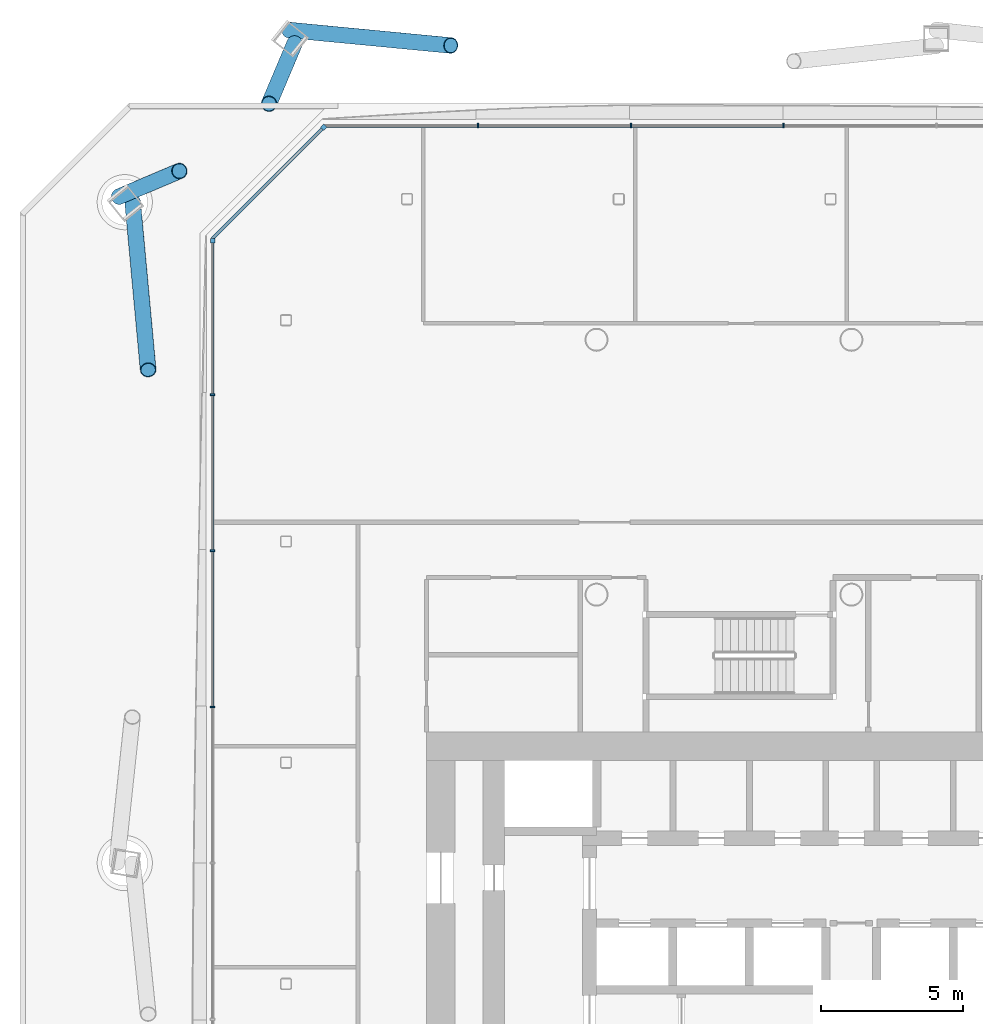
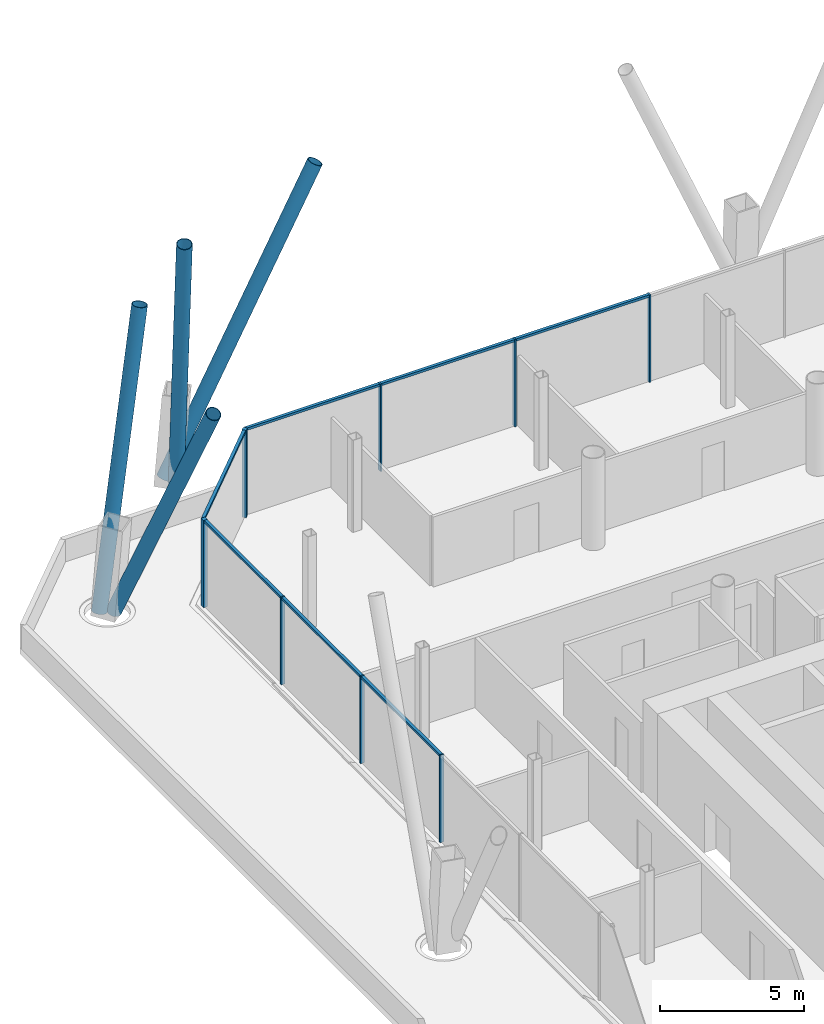
# One storey, part 8 of 23: 19 members, 3 elements without a shape of their own.
"""IFC4 building model written with IfcOpenShell, lengths in metres."""

from ifc_helpers import new_model, si_unit, direction, frame, origin, origin_2d, place, context, subcontext, project, spatial, rectangle, hollow_circle, extrude, material, material_profile, profile_set, type_object, element, aggregate, save


model = new_model("IFC4")

# Units and contexts
model_context = context("Model", 3, precision=1e-05, world=origin(), true_north=direction((0.0, 1.0)))
body_context = subcontext(model_context, "Body", "Model", "MODEL_VIEW")
ifc_project = project(units=[si_unit("LENGTHUNIT", "METRE"), si_unit("AREAUNIT", "SQUARE_METRE"), si_unit("VOLUMEUNIT", "CUBIC_METRE"), si_unit("PLANEANGLEUNIT", "RADIAN"), si_unit("MASSUNIT", "GRAM", prefix="KILO")], contexts=[model_context])

# Site, building, storey
site_placement = place(None, origin())
site = spatial("IfcSite", under=ifc_project, at=site_placement, CompositionType="ELEMENT")
building_placement = place(site_placement, origin())
building = spatial("IfcBuilding", under=site, at=building_placement, Name="Tskaro Facet Tower", CompositionType="ELEMENT")
storey_placement = place(building_placement, frame((0.0, 0.0, 62.10009765625)))
storey = spatial("IfcBuildingStorey", under=building, at=storey_placement, Name="L14", CompositionType="ELEMENT", Elevation=62.10009765625)

# Members
ifc_material_1 = material(Name="Steel S355J2H", Category="steel")
ifc_material_profile_1 = material_profile(ifc_material_1, hollow_circle(Radius=0.279541015625, WallThickness=0.02490234375, at=origin_2d()), Name="CHS 559x25")
ifc_profile_set_1 = profile_set([ifc_material_profile_1], Name="Steel S355J2H")
member_type_1 = type_object("IfcMemberType", Name="CHS 559x25 brace", PredefinedType="BRACE", material=ifc_profile_set_1)
member_1_placement = place(storey_placement, frame((-19.85888671875, 28.9384765625, 0.0), z_axis=(0.438488546732, -0.042056085249, 0.897752237579), x_axis=(0.095473354483, 0.995431985916, 0.0)))
element("IfcMember", 1, at=member_1_placement, inside=storey, type_object=member_type_1, Name="CHS 559x25 XB08B/2", PredefinedType="BRACE", context=body_context, shape_type="SweptSolid", body=[
    extrude(hollow_circle(Radius=0.279541015625, WallThickness=0.02490234375, at=origin_2d()), origin(), (0.0, 0.0, 1.0), 13.032470703125),
])
for number, where, z_axis, x_axis, name in (
    (2, (-19.661376953125, 28.46142578125, 0.0), (-0.075639155813, -0.178565725619, 0.981016309621), (0.920796704656, -0.390042854947, 0.0), "CHS 559x25 XB09A/2"),
    (3, (-25.856689453125, 23.056640625, 0.0), (0.178565725619, 0.075639155813, 0.981016309621), (-0.390042854947, 0.920796704656, 0.0), "CHS 559x25 XB09B/2"),
):
    element("IfcMember", number, at=place(storey_placement, frame(where, z_axis=z_axis, x_axis=x_axis)), inside=storey, type_object=member_type_1, Name=name, PredefinedType="BRACE", context=body_context, shape_type="SweptSolid", body=[
        extrude(hollow_circle(Radius=0.279541015625, WallThickness=0.02490234375, at=origin_2d()), origin(), (0.0, 0.0, 1.0), 11.92626953125),
    ])
member_2_placement = place(storey_placement, frame((-25.37939453125, 22.85888671875, 0.0), z_axis=(0.04173924051, -0.451319488299, 0.891385749989), x_axis=(0.995750714897, 0.092089705087, 0.0)))
element("IfcMember", 4, at=member_2_placement, inside=storey, type_object=member_type_1, Name="CHS 559x25 XB10A/2", PredefinedType="BRACE", context=body_context, shape_type="SweptSolid", body=[
    extrude(hollow_circle(Radius=0.279541015625, WallThickness=0.02490234375, at=origin_2d()), origin(), (0.0, 0.0, 1.0), 13.12548828125),
])

# Curtain wall, member
ifc_material_2 = material(Name="Bronze anodised aluminium 6063-T6", Category="aluminium")
curtain_wall_type = type_object("IfcCurtainWallType", Name="Bronze office curtain wall (FW1)", PredefinedType="NOTDEFINED", material=ifc_material_2)
curtain_wall_1_placement = place(storey_placement, origin())
curtain_wall_1 = element("IfcCurtainWall", 5, at=curtain_wall_1_placement, inside=storey, type_object=curtain_wall_type, Name="FW1 north-west facet L14", PredefinedType="NOTDEFINED")
ifc_material_profile_2 = material_profile(ifc_material_2, rectangle(XDim=0.159912109375, YDim=0.159912109375, at=origin_2d()), Name="Corner post 160x160")
ifc_profile_set_2 = profile_set([ifc_material_profile_2], Name="Bronze anodised aluminium 6063-T6")
member_type_2 = type_object("IfcMemberType", Name="FW1 bronze corner post 160x160", PredefinedType="MULLION", material=ifc_profile_set_2)
member_3_placement = place(storey_placement, frame((-18.630615234375, 25.50244140625, 0.0), z_axis=(0.0, 0.0, 1.0), x_axis=(-0.707106781187, -0.707106781187, 0.0)))
member_3 = element("IfcMember", 6, at=member_3_placement, type_object=member_type_2, Name="FW1 north-west corner post", PredefinedType="MULLION", context=body_context, shape_type="SweptSolid", body=[
    extrude(rectangle(XDim=0.159912109375, YDim=0.159912109375, at=origin_2d()), origin(), (0.0, 0.0, 1.0), 3.699951171875),
])

curtain_wall_2_placement = place(storey_placement, origin())
curtain_wall_2 = element("IfcCurtainWall", 7, at=curtain_wall_2_placement, inside=storey, type_object=curtain_wall_type, Name="FW1 west facet L14", PredefinedType="NOTDEFINED")
member_4_placement = place(storey_placement, frame((-22.55908203125, 21.493896484375, 0.0), z_axis=(0.0, 0.0, 1.0), x_axis=(0.0, -1.0, 0.0)))
member_4 = element("IfcMember", 8, at=member_4_placement, type_object=member_type_2, Name="FW1 west corner post", PredefinedType="MULLION", context=body_context, shape_type="SweptSolid", body=[
    extrude(rectangle(XDim=0.159912109375, YDim=0.159912109375, at=origin_2d()), origin(), (0.0, 0.0, 1.0), 3.699951171875),
])

# Curtain wall, members
curtain_wall_3_placement = place(storey_placement, origin())
curtain_wall_3 = element("IfcCurtainWall", 9, at=curtain_wall_3_placement, inside=storey, type_object=curtain_wall_type, Name="FW1 north facet L14", PredefinedType="NOTDEFINED")
ifc_material_profile_3 = material_profile(ifc_material_2, rectangle(XDim=0.06005859375, YDim=0.159912109375, at=origin_2d()), Name="Mullion 60x160")
ifc_profile_set_3 = profile_set([ifc_material_profile_3], Name="Bronze anodised aluminium 6063-T6")
member_type_3 = type_object("IfcMemberType", Name="FW1 bronze mullion 60x160", PredefinedType="MULLION", material=ifc_profile_set_3)
member_5_placement = place(storey_placement, frame((-2.3935546875, 25.55908203125, 0.0), z_axis=(0.0, 0.0, 1.0), x_axis=(-1.0, 0.0, 0.0)))
member_5 = element("IfcMember", 10, at=member_5_placement, type_object=member_type_3, Name="FW1 north mullion 5", PredefinedType="MULLION", context=body_context, shape_type="SweptSolid", body=[
    extrude(rectangle(XDim=0.06005859375, YDim=0.159912109375, at=origin_2d()), origin(), (0.0, 0.0, 1.0), 3.699951171875),
])
member_6_placement = place(storey_placement, frame((-7.787109375, 25.55908203125, 0.0), z_axis=(0.0, 0.0, 1.0), x_axis=(-1.0, 0.0, 0.0)))
member_6 = element("IfcMember", 11, at=member_6_placement, type_object=member_type_3, Name="FW1 north mullion 6", PredefinedType="MULLION", context=body_context, shape_type="SweptSolid", body=[
    extrude(rectangle(XDim=0.06005859375, YDim=0.159912109375, at=origin_2d()), origin(), (0.0, 0.0, 1.0), 3.699951171875),
])
member_7_placement = place(storey_placement, frame((-13.180419921875, 25.55908203125, 0.0), z_axis=(0.0, 0.0, 1.0), x_axis=(-1.0, 0.0, 0.0)))
member_7 = element("IfcMember", 12, at=member_7_placement, type_object=member_type_3, Name="FW1 north mullion 7", PredefinedType="MULLION", context=body_context, shape_type="SweptSolid", body=[
    extrude(rectangle(XDim=0.06005859375, YDim=0.159912109375, at=origin_2d()), origin(), (0.0, 0.0, 1.0), 3.699951171875),
])

# Member
member_8_placement = place(storey_placement, frame((-22.55908203125, 16.060791015625, 0.0), z_axis=(0.0, 0.0, 1.0), x_axis=(0.0, -1.0, 0.0)))
member_8 = element("IfcMember", 13, at=member_8_placement, type_object=member_type_3, Name="FW1 west mullion 1", PredefinedType="MULLION", context=body_context, shape_type="SweptSolid", body=[
    extrude(rectangle(XDim=0.06005859375, YDim=0.159912109375, at=origin_2d()), origin(), (0.0, 0.0, 1.0), 3.699951171875),
])

member_9_placement = place(storey_placement, frame((-22.55908203125, 10.5478515625, 0.0), z_axis=(0.0, 0.0, 1.0), x_axis=(0.0, -1.0, 0.0)))
member_9 = element("IfcMember", 14, at=member_9_placement, type_object=member_type_3, Name="FW1 west mullion 2", PredefinedType="MULLION", context=body_context, shape_type="SweptSolid", body=[
    extrude(rectangle(XDim=0.06005859375, YDim=0.159912109375, at=origin_2d()), origin(), (0.0, 0.0, 1.0), 3.699951171875),
])

member_10_placement = place(storey_placement, frame((-22.55908203125, 5.03466796875, 0.0), z_axis=(0.0, 0.0, 1.0), x_axis=(0.0, -1.0, 0.0)))
member_10 = element("IfcMember", 15, at=member_10_placement, type_object=member_type_3, Name="FW1 west mullion 3", PredefinedType="MULLION", context=body_context, shape_type="SweptSolid", body=[
    extrude(rectangle(XDim=0.06005859375, YDim=0.159912109375, at=origin_2d()), origin(), (0.0, 0.0, 1.0), 3.699951171875),
])

ifc_material_profile_4 = material_profile(ifc_material_2, rectangle(XDim=0.1201171875, YDim=0.10009765625, at=origin_2d()), Name="Transom 120x100")
ifc_profile_set_4 = profile_set([ifc_material_profile_4], Name="Bronze anodised aluminium 6063-T6")
member_type_4 = type_object("IfcMemberType", Name="FW1 bronze transom 120x100", PredefinedType="USERDEFINED", material=ifc_profile_set_4)
member_11_placement = place(storey_placement, frame((-2.423583984375, 25.55908203125, 3.64990234375), z_axis=(-1.0, 0.0, 0.0), x_axis=(0.0, -1.0, 0.0)))
member_11 = element("IfcMember", 16, at=member_11_placement, type_object=member_type_4, Name="FW1 north transom 6.1", ObjectType="TRANSOM", PredefinedType="USERDEFINED", context=body_context, shape_type="SweptSolid", body=[
    extrude(rectangle(XDim=0.1201171875, YDim=0.10009765625, at=origin_2d()), origin(), (0.0, 0.0, 1.0), 5.33349609375),
])

member_12_placement = place(storey_placement, frame((-7.81689453125, 25.55908203125, 3.64990234375), z_axis=(-1.0, 0.0, 0.0), x_axis=(0.0, -1.0, 0.0)))
member_12 = element("IfcMember", 17, at=member_12_placement, type_object=member_type_4, Name="FW1 north transom 7.1", ObjectType="TRANSOM", PredefinedType="USERDEFINED", context=body_context, shape_type="SweptSolid", body=[
    extrude(rectangle(XDim=0.1201171875, YDim=0.10009765625, at=origin_2d()), origin(), (0.0, 0.0, 1.0), 5.33349609375),
])

member_13_placement = place(storey_placement, frame((-13.21044921875, 25.55908203125, 3.64990234375), z_axis=(-1.0, 0.0, 0.0), x_axis=(0.0, -1.0, 0.0)))
member_13 = element("IfcMember", 18, at=member_13_placement, type_object=member_type_4, Name="FW1 north transom 8.1", ObjectType="TRANSOM", PredefinedType="USERDEFINED", context=body_context, shape_type="SweptSolid", body=[
    extrude(rectangle(XDim=0.1201171875, YDim=0.10009765625, at=origin_2d()), origin(), (0.0, 0.0, 1.0), 5.363525390625),
])

aggregate(curtain_wall_3, [member_5, member_6, member_7, member_11, member_12, member_13])

member_14_placement = place(storey_placement, frame((-18.687255859375, 25.44580078125, 3.64990234375), z_axis=(-0.707106781187, -0.707106781187, 0.0), x_axis=(0.707106781187, -0.707106781187, 0.0)))
member_14 = element("IfcMember", 19, at=member_14_placement, type_object=member_type_4, Name="FW1 north-west transom 1.1", ObjectType="TRANSOM", PredefinedType="USERDEFINED", context=body_context, shape_type="SweptSolid", body=[
    extrude(rectangle(XDim=0.1201171875, YDim=0.10009765625, at=origin_2d()), origin(), (0.0, 0.0, 1.0), 5.4755859375),
])

aggregate(curtain_wall_1, [member_3, member_14])

member_15_placement = place(storey_placement, frame((-22.55908203125, 21.4140625, 3.64990234375), z_axis=(0.0, -1.0, 0.0), x_axis=(1.0, 0.0, 0.0)))
member_15 = element("IfcMember", 20, at=member_15_placement, type_object=member_type_4, Name="FW1 west transom 1.1", ObjectType="TRANSOM", PredefinedType="USERDEFINED", context=body_context, shape_type="SweptSolid", body=[
    extrude(rectangle(XDim=0.1201171875, YDim=0.10009765625, at=origin_2d()), origin(), (0.0, 0.0, 1.0), 5.3232421875),
])

member_16_placement = place(storey_placement, frame((-22.55908203125, 16.03076171875, 3.64990234375), z_axis=(0.0, -1.0, 0.0), x_axis=(1.0, 0.0, 0.0)))
member_16 = element("IfcMember", 21, at=member_16_placement, type_object=member_type_4, Name="FW1 west transom 2.1", ObjectType="TRANSOM", PredefinedType="USERDEFINED", context=body_context, shape_type="SweptSolid", body=[
    extrude(rectangle(XDim=0.1201171875, YDim=0.10009765625, at=origin_2d()), origin(), (0.0, 0.0, 1.0), 5.453125),
])

member_17_placement = place(storey_placement, frame((-22.55908203125, 10.517822265625, 3.64990234375), z_axis=(0.0, -1.0, 0.0), x_axis=(1.0, 0.0, 0.0)))
member_17 = element("IfcMember", 22, at=member_17_placement, type_object=member_type_4, Name="FW1 west transom 3.1", ObjectType="TRANSOM", PredefinedType="USERDEFINED", context=body_context, shape_type="SweptSolid", body=[
    extrude(rectangle(XDim=0.1201171875, YDim=0.10009765625, at=origin_2d()), origin(), (0.0, 0.0, 1.0), 5.453125),
])

aggregate(curtain_wall_2, [member_4, member_8, member_9, member_10, member_15, member_16, member_17])

save(model, "model.ifc")
